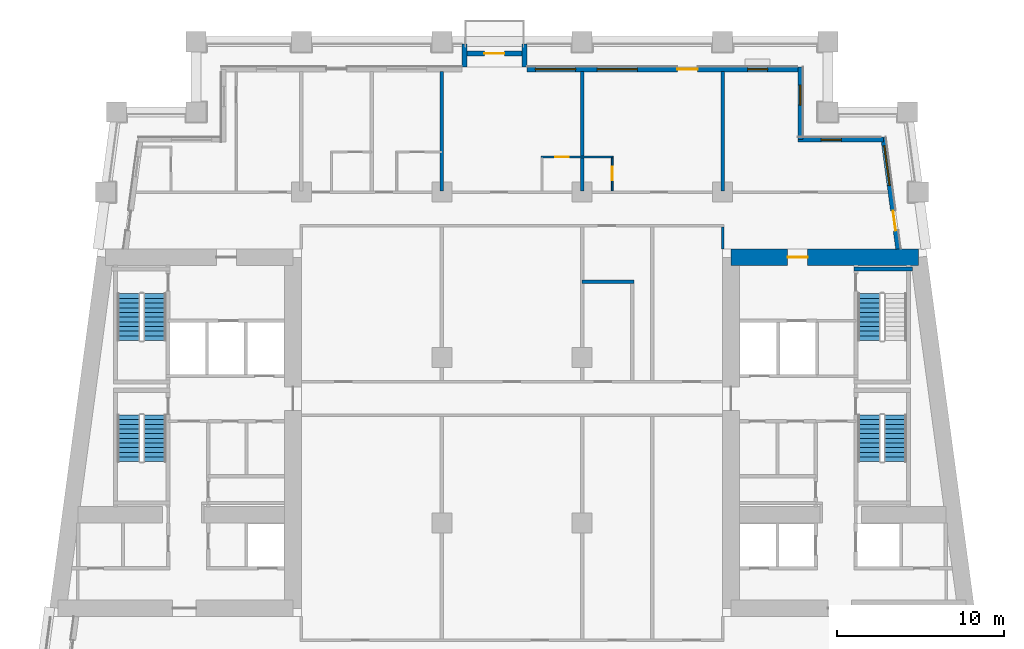
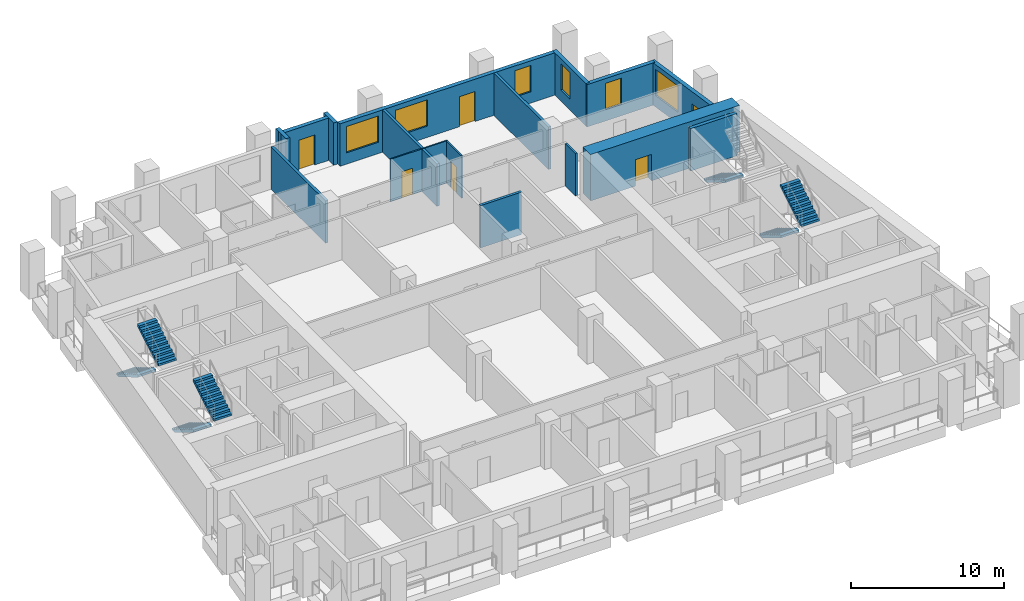
# One storey, part 7 of 13: 16 walls, 7 stair flights, 6 doors, 6 windows, 12 openings, 4 elements without a shape of their own.
"""IFC4 building model written with IfcOpenShell, lengths in metres."""

from ifc_helpers import new_model, si_unit, direction, frame, frame_2d, origin, place, context, subcontext, project, spatial, polyline, rectangle, outline, extrude, material, layer, layer_set, type_object, element, fill, aggregate, save


model = new_model("IFC4")

# Units and contexts
model_context = context("Model", 3, precision=1e-05, world=origin(), true_north=direction((0.0, 1.0)))
body_context = subcontext(model_context, "Body", "Model", "MODEL_VIEW")
ifc_project = project(units=[si_unit("LENGTHUNIT", "METRE"), si_unit("AREAUNIT", "SQUARE_METRE"), si_unit("VOLUMEUNIT", "CUBIC_METRE"), si_unit("PLANEANGLEUNIT", "RADIAN"), si_unit("MASSUNIT", "GRAM", prefix="KILO")], contexts=[model_context])

# Site, building, storey
site_placement = place(None, origin())
site = spatial("IfcSite", under=ifc_project, at=site_placement, CompositionType="ELEMENT")
building_placement = place(site_placement, origin())
building = spatial("IfcBuilding", under=site, at=building_placement, Name="Candeia Pilgrim Tower and Theatre", CompositionType="ELEMENT")
storey_placement = place(building_placement, frame((0.0, 0.0, 128.0)))
storey = spatial("IfcBuildingStorey", under=building, at=storey_placement, Name="L30", CompositionType="ELEMENT", Elevation=128.0)

# Wall, opening, door
ifc_material_1 = material(Name="Concrete C70/85", Category="concrete")
ifc_layer_1 = layer(ifc_material_1, 1.0)
ifc_layer_set_1 = layer_set([ifc_layer_1], Name="Core wall 1000 C70/85")
wall_type_1 = type_object("IfcWallType", Name="Core wall 1000 C70/85", PredefinedType="SHEAR", material=ifc_layer_set_1)
wall_1_placement = place(storey_placement, frame((126.5, 131.89990234375, 0.0), z_axis=(0.0, 0.0, 1.0), x_axis=(1.0, 0.0, 0.0)))
wall_1 = element("IfcWall", 1, at=wall_1_placement, inside=storey, type_object=wall_type_1, Name="Core wall E1", PredefinedType="SHEAR", context=body_context, shape_type="SweptSolid", body=[
    extrude(rectangle(XDim=11.23193359375, YDim=1.0, at=frame_2d((5.615966796875, 0.0))), origin(), (0.0, 0.0, 1.0), 3.699951171875),
])
opening_1_placement = place(wall_1_placement, frame((3.386474609375, 0.0, 0.0)))
opening_1 = element("IfcOpeningElement", 2, at=opening_1_placement, cuts=wall_1, Name="Opening L30-D060", PredefinedType="OPENING", context=body_context, shape_type="SweptSolid", body=[
    extrude(rectangle(XDim=1.199951171875, YDim=2.10009765625, at=frame_2d((0.60009765625, 1.050048828125))), frame((0.0, 0.510009765625, 0.0), z_axis=(0.0, -1.0, 0.0), x_axis=(1.0, 0.0, 0.0)), (0.0, 0.0, 1.0), 1.02001953125),
])
ifc_material_2 = material(Name="Steel fire door set", Category="steel")
door_type_1 = type_object("IfcDoorType", Name="D-1200-FD60", OperationType="NOTDEFINED", PredefinedType="DOOR", material=ifc_material_2)
door_1_placement = place(opening_1_placement, origin())
door_1 = element("IfcDoor", 3, at=door_1_placement, inside=storey, type_object=door_type_1, Name="Door L30-D060", OperationType="SINGLE_SWING_RIGHT", OverallHeight=2.10009765625, OverallWidth=1.199951171875, PredefinedType="DOOR", context=body_context, shape_type="SweptSolid", body=[
    extrude(rectangle(XDim=1.199951171875, YDim=2.10009765625, at=frame_2d((0.60009765625, 1.050048828125))), frame((0.0, 0.02490234375, 0.0), z_axis=(0.0, -1.0, 0.0), x_axis=(1.0, 0.0, 0.0)), (0.0, 0.0, 1.0), 0.050048828125),
])
fill(opening_1, door_1)

# Wall, openings, door, window
ifc_material_3 = material(Name="Ceramic block masonry", Category="masonry")
ifc_layer_2 = layer(ifc_material_3, 0.300048828125)
ifc_layer_set_2 = layer_set([ifc_layer_2], Name="EW1 glazing-line wall 300")
wall_type_2 = type_object("IfcWallType", Name="EW1 glazing-line wall 300", PredefinedType="SOLIDWALL", material=ifc_layer_set_2)
wall_2_placement = place(storey_placement, frame((136.50439453125, 132.39990234375, 0.0), z_axis=(0.0, 0.0, 1.0), x_axis=(-0.133399697462, 0.99106231929, 0.0)))
wall_2 = element("IfcWall", 4, at=wall_2_placement, inside=storey, type_object=wall_type_2, Name="External wall L30-3.1", PredefinedType="SOLIDWALL", context=body_context, shape_type="SweptSolid", body=[
    extrude(rectangle(XDim=6.740478515625, YDim=0.300048828125, at=frame_2d((3.3701171875, 0.0))), origin(), (0.0, 0.0, 1.0), 3.3798828125),
])
opening_2_placement = place(wall_2_placement, frame((1.115234375, 0.0, 0.0)))
opening_2 = element("IfcOpeningElement", 5, at=opening_2_placement, cuts=wall_2, Name="Opening L30-ED303", PredefinedType="OPENING", context=body_context, shape_type="SweptSolid", body=[
    extrude(rectangle(XDim=1.199951171875, YDim=2.39990234375, at=frame_2d((0.60009765625, 1.199951171875))), frame((0.0, 0.16015625, 0.0), z_axis=(0.0, -1.0, 0.0), x_axis=(1.0, 0.0, 0.0)), (0.0, 0.0, 1.0), 0.320068359375),
])
opening_3_placement = place(wall_2_placement, frame((3.83544921875, 0.0, 0.89990234375)))
opening_3 = element("IfcOpeningElement", 6, at=opening_3_placement, cuts=wall_2, Name="Opening W-A", PredefinedType="OPENING", context=body_context, shape_type="SweptSolid", body=[
    extrude(rectangle(XDim=2.39990234375, YDim=2.10009765625, at=frame_2d((1.199951171875, 1.050048828125))), frame((0.0, 0.16015625, 0.0), z_axis=(0.0, -1.0, 0.0), x_axis=(1.0, 0.0, 0.0)), (0.0, 0.0, 1.0), 0.320068359375),
])
ifc_material_4 = material(Name="Aluminium framed glazed door", Category="aluminium")
door_type_2 = type_object("IfcDoorType", Name="Loggia door 1200x2400", OperationType="DOUBLE_DOOR_SINGLE_SWING", PredefinedType="DOOR", material=ifc_material_4)
door_2_placement = place(opening_2_placement, origin())
door_2 = element("IfcDoor", 7, at=door_2_placement, inside=storey, type_object=door_type_2, Name="Loggia door L30-ED303", OperationType="DOUBLE_DOOR_SINGLE_SWING", OverallHeight=2.39990234375, OverallWidth=1.199951171875, PredefinedType="DOOR", context=body_context, shape_type="SweptSolid", body=[
    extrude(rectangle(XDim=1.199951171875, YDim=2.39990234375, at=frame_2d((0.60009765625, 1.199951171875))), frame((0.0, 0.02490234375, 0.0), z_axis=(0.0, -1.0, 0.0), x_axis=(1.0, 0.0, 0.0)), (0.0, 0.0, 1.0), 0.050048828125),
])
fill(opening_2, door_2)
ifc_material_5 = material(Name="Aluminium framed double glazing", Category="aluminium")
window_type_1 = type_object("IfcWindowType", Name="W-A window 2400x2100", PartitioningType="DOUBLE_PANEL_VERTICAL", PredefinedType="WINDOW", material=ifc_material_5)
window_1_placement = place(opening_3_placement, origin())
window_1 = element("IfcWindow", 8, at=window_1_placement, inside=storey, type_object=window_type_1, Name="Window W-A L30", OverallHeight=2.10009765625, OverallWidth=2.39990234375, PartitioningType="SINGLE_PANEL", PredefinedType="WINDOW", context=body_context, shape_type="SweptSolid", body=[
    extrude(rectangle(XDim=2.39990234375, YDim=2.10009765625, at=frame_2d((1.199951171875, 1.050048828125))), frame((0.0, 0.030029296875, 0.0), z_axis=(0.0, -1.0, 0.0), x_axis=(1.0, 0.0, 0.0)), (0.0, 0.0, 1.0), 0.06005859375),
])
fill(opening_3, window_1)

# Wall, opening, window
wall_3_placement = place(storey_placement, frame((135.62255859375, 138.949951171875, 0.0), z_axis=(0.0, 0.0, 1.0), x_axis=(-1.0, 0.0, 0.0)))
wall_3 = element("IfcWall", 9, at=wall_3_placement, inside=storey, type_object=wall_type_2, Name="External wall L30-4.0", PredefinedType="SOLIDWALL", context=body_context, shape_type="SweptSolid", body=[
    extrude(rectangle(XDim=5.12255859375, YDim=0.300048828125, at=frame_2d((2.561279296875, 0.0))), origin(), (0.0, 0.0, 1.0), 3.3798828125),
])
opening_4_placement = place(wall_3_placement, frame((2.522705078125, 0.0, 0.89990234375)))
opening_4 = element("IfcOpeningElement", 10, at=opening_4_placement, cuts=wall_3, Name="Opening W-B", PredefinedType="OPENING", context=body_context, shape_type="SweptSolid", body=[
    extrude(rectangle(XDim=1.199951171875, YDim=2.10009765625, at=frame_2d((0.60009765625, 1.050048828125))), frame((0.0, 0.16015625, 0.0), z_axis=(0.0, -1.0, 0.0), x_axis=(1.0, 0.0, 0.0)), (0.0, 0.0, 1.0), 0.320068359375),
])
window_type_2 = type_object("IfcWindowType", Name="W-B window 1200x2100", PartitioningType="SINGLE_PANEL", PredefinedType="WINDOW", material=ifc_material_5)
window_2_placement = place(opening_4_placement, origin())
window_2 = element("IfcWindow", 11, at=window_2_placement, inside=storey, type_object=window_type_2, Name="Window W-B L30", OverallHeight=2.10009765625, OverallWidth=1.199951171875, PartitioningType="SINGLE_PANEL", PredefinedType="WINDOW", context=body_context, shape_type="SweptSolid", body=[
    extrude(rectangle(XDim=1.199951171875, YDim=2.10009765625, at=frame_2d((0.60009765625, 1.050048828125))), frame((0.0, 0.030029296875, 0.0), z_axis=(0.0, -1.0, 0.0), x_axis=(1.0, 0.0, 0.0)), (0.0, 0.0, 1.0), 0.06005859375),
])
fill(opening_4, window_2)

wall_4_placement = place(storey_placement, frame((130.64990234375, 138.949951171875, 0.0), z_axis=(0.0, 0.0, 1.0), x_axis=(0.0, 1.0, 0.0)))
wall_4 = element("IfcWall", 12, at=wall_4_placement, inside=storey, type_object=wall_type_2, Name="External wall L30-5.0", PredefinedType="SOLIDWALL", context=body_context, shape_type="SweptSolid", body=[
    extrude(rectangle(XDim=4.35009765625, YDim=0.300048828125, at=frame_2d((2.175048828125, 0.0))), origin(), (0.0, 0.0, 1.0), 3.3798828125),
])
opening_5_placement = place(wall_4_placement, frame((2.050048828125, 0.0, 0.89990234375)))
opening_5 = element("IfcOpeningElement", 13, at=opening_5_placement, cuts=wall_4, Name="Opening W-B", PredefinedType="OPENING", context=body_context, shape_type="SweptSolid", body=[
    extrude(rectangle(XDim=1.199951171875, YDim=2.10009765625, at=frame_2d((0.60009765625, 1.050048828125))), frame((0.0, 0.16015625, 0.0), z_axis=(0.0, -1.0, 0.0), x_axis=(1.0, 0.0, 0.0)), (0.0, 0.0, 1.0), 0.320068359375),
])
window_3_placement = place(opening_5_placement, origin())
window_3 = element("IfcWindow", 14, at=window_3_placement, inside=storey, type_object=window_type_2, Name="Window W-B L30", OverallHeight=2.10009765625, OverallWidth=1.199951171875, PartitioningType="SINGLE_PANEL", PredefinedType="WINDOW", context=body_context, shape_type="SweptSolid", body=[
    extrude(rectangle(XDim=1.199951171875, YDim=2.10009765625, at=frame_2d((0.60009765625, 1.050048828125))), frame((0.0, 0.030029296875, 0.0), z_axis=(0.0, -1.0, 0.0), x_axis=(1.0, 0.0, 0.0)), (0.0, 0.0, 1.0), 0.06005859375),
])
fill(opening_5, window_3)

# Wall, openings, door, windows
wall_5_placement = place(storey_placement, frame((130.64990234375, 143.14990234375, 0.0), z_axis=(0.0, 0.0, 1.0), x_axis=(-1.0, 0.0, 0.0)))
wall_5 = element("IfcWall", 15, at=wall_5_placement, inside=storey, type_object=wall_type_2, Name="External wall L30-6.0", PredefinedType="SOLIDWALL", context=body_context, shape_type="SweptSolid", body=[
    extrude(rectangle(XDim=16.349853515625, YDim=0.300048828125, at=frame_2d((8.1748046875, 0.0))), origin(), (0.0, 0.0, 1.0), 3.3798828125),
])
opening_6_placement = place(wall_5_placement, frame((1.949951171875, 0.0, 0.89990234375)))
opening_6 = element("IfcOpeningElement", 16, at=opening_6_placement, cuts=wall_5, Name="Opening W-B", PredefinedType="OPENING", context=body_context, shape_type="SweptSolid", body=[
    extrude(rectangle(XDim=1.199951171875, YDim=2.10009765625, at=frame_2d((0.60009765625, 1.050048828125))), frame((0.0, 0.16015625, 0.0), z_axis=(0.0, -1.0, 0.0), x_axis=(1.0, 0.0, 0.0)), (0.0, 0.0, 1.0), 0.320068359375),
])
opening_7_placement = place(wall_5_placement, frame((6.14990234375, 0.0, 0.0)))
opening_7 = element("IfcOpeningElement", 17, at=opening_7_placement, cuts=wall_5, Name="Opening L30-ED304", PredefinedType="OPENING", context=body_context, shape_type="SweptSolid", body=[
    extrude(rectangle(XDim=1.199951171875, YDim=2.39990234375, at=frame_2d((0.60009765625, 1.199951171875))), frame((0.0, 0.16015625, 0.0), z_axis=(0.0, -1.0, 0.0), x_axis=(1.0, 0.0, 0.0)), (0.0, 0.0, 1.0), 0.320068359375),
])
opening_8_placement = place(wall_5_placement, frame((9.75, 0.0, 0.89990234375)))
opening_8 = element("IfcOpeningElement", 18, at=opening_8_placement, cuts=wall_5, Name="Opening W-A", PredefinedType="OPENING", context=body_context, shape_type="SweptSolid", body=[
    extrude(rectangle(XDim=2.39990234375, YDim=2.10009765625, at=frame_2d((1.199951171875, 1.050048828125))), frame((0.0, 0.16015625, 0.0), z_axis=(0.0, -1.0, 0.0), x_axis=(1.0, 0.0, 0.0)), (0.0, 0.0, 1.0), 0.320068359375),
])
opening_9_placement = place(wall_5_placement, frame((13.449951171875, 0.0, 0.89990234375)))
opening_9 = element("IfcOpeningElement", 19, at=opening_9_placement, cuts=wall_5, Name="Opening W-A", PredefinedType="OPENING", context=body_context, shape_type="SweptSolid", body=[
    extrude(rectangle(XDim=2.39990234375, YDim=2.10009765625, at=frame_2d((1.199951171875, 1.050048828125))), frame((0.0, 0.16015625, 0.0), z_axis=(0.0, -1.0, 0.0), x_axis=(1.0, 0.0, 0.0)), (0.0, 0.0, 1.0), 0.320068359375),
])
door_3_placement = place(opening_7_placement, origin())
door_3 = element("IfcDoor", 20, at=door_3_placement, inside=storey, type_object=door_type_2, Name="Loggia door L30-ED304", OperationType="DOUBLE_DOOR_SINGLE_SWING", OverallHeight=2.39990234375, OverallWidth=1.199951171875, PredefinedType="DOOR", context=body_context, shape_type="SweptSolid", body=[
    extrude(rectangle(XDim=1.199951171875, YDim=2.39990234375, at=frame_2d((0.60009765625, 1.199951171875))), frame((0.0, 0.02490234375, 0.0), z_axis=(0.0, -1.0, 0.0), x_axis=(1.0, 0.0, 0.0)), (0.0, 0.0, 1.0), 0.050048828125),
])
fill(opening_7, door_3)
window_4_placement = place(opening_8_placement, origin())
window_4 = element("IfcWindow", 21, at=window_4_placement, inside=storey, type_object=window_type_1, Name="Window W-A L30", OverallHeight=2.10009765625, OverallWidth=2.39990234375, PartitioningType="SINGLE_PANEL", PredefinedType="WINDOW", context=body_context, shape_type="SweptSolid", body=[
    extrude(rectangle(XDim=2.39990234375, YDim=2.10009765625, at=frame_2d((1.199951171875, 1.050048828125))), frame((0.0, 0.030029296875, 0.0), z_axis=(0.0, -1.0, 0.0), x_axis=(1.0, 0.0, 0.0)), (0.0, 0.0, 1.0), 0.06005859375),
])
fill(opening_8, window_4)
window_5_placement = place(opening_9_placement, origin())
window_5 = element("IfcWindow", 22, at=window_5_placement, inside=storey, type_object=window_type_1, Name="Window W-A L30", OverallHeight=2.10009765625, OverallWidth=2.39990234375, PartitioningType="SINGLE_PANEL", PredefinedType="WINDOW", context=body_context, shape_type="SweptSolid", body=[
    extrude(rectangle(XDim=2.39990234375, YDim=2.10009765625, at=frame_2d((1.199951171875, 1.050048828125))), frame((0.0, 0.030029296875, 0.0), z_axis=(0.0, -1.0, 0.0), x_axis=(1.0, 0.0, 0.0)), (0.0, 0.0, 1.0), 0.06005859375),
])
fill(opening_9, window_5)
window_6_placement = place(opening_6_placement, origin())
window_6 = element("IfcWindow", 23, at=window_6_placement, inside=storey, type_object=window_type_2, Name="Window W-B L30", OverallHeight=2.10009765625, OverallWidth=1.199951171875, PartitioningType="SINGLE_PANEL", PredefinedType="WINDOW", context=body_context, shape_type="SweptSolid", body=[
    extrude(rectangle(XDim=1.199951171875, YDim=2.10009765625, at=frame_2d((0.60009765625, 1.050048828125))), frame((0.0, 0.030029296875, 0.0), z_axis=(0.0, -1.0, 0.0), x_axis=(1.0, 0.0, 0.0)), (0.0, 0.0, 1.0), 0.06005859375),
])
fill(opening_6, window_6)

# Walls
ifc_layer_3 = layer(ifc_material_3, 0.300048828125)
ifc_layer_set_3 = layer_set([ifc_layer_3], Name="EW2 entrance infill wall 300")
wall_type_3 = type_object("IfcWallType", Name="EW2 entrance infill wall 300", PredefinedType="SOLIDWALL", material=ifc_layer_set_3)
for number, where, z_axis, x_axis, name in (
    (24, (114.14990234375, 143.300048828125, 0.0), (0.0, 0.0, 1.0), (0.0, 1.0, 0.0), "Alcove wall L30"),
    (25, (110.550048828125, 143.300048828125, 0.0), (0.0, 0.0, 1.0), (0.0, 1.0, 0.0), "Alcove wall L30"),
):
    element("IfcWall", number, at=place(storey_placement, frame(where, z_axis=z_axis, x_axis=x_axis)), inside=storey, type_object=wall_type_3, Name=name, PredefinedType="SOLIDWALL", context=body_context, shape_type="SweptSolid", body=[
        extrude(rectangle(XDim=1.349853515625, YDim=0.300048828125, at=frame_2d((0.6748046875, 0.0))), origin(), (0.0, 0.0, 1.0), 3.3798828125),
    ])

# Wall, opening, door
wall_6_placement = place(storey_placement, frame((114.300048828125, 144.10009765625, 0.0), z_axis=(0.0, 0.0, 1.0), x_axis=(-1.0, 0.0, 0.0)))
wall_6 = element("IfcWall", 26, at=wall_6_placement, inside=storey, type_object=wall_type_3, Name="Alcove wall L30", PredefinedType="SOLIDWALL", context=body_context, shape_type="SweptSolid", body=[
    extrude(rectangle(XDim=3.900146484375, YDim=0.300048828125, at=frame_2d((1.9501953125, 0.0))), origin(), (0.0, 0.0, 1.0), 3.3798828125),
])
opening_10_placement = place(wall_6_placement, frame((1.35009765625, 0.0, 0.0)))
opening_10 = element("IfcOpeningElement", 27, at=opening_10_placement, cuts=wall_6, Name="Opening L30-ED306", PredefinedType="OPENING", context=body_context, shape_type="SweptSolid", body=[
    extrude(rectangle(XDim=1.199951171875, YDim=2.39990234375, at=frame_2d((0.60009765625, 1.199951171875))), frame((0.0, 0.16015625, 0.0), z_axis=(0.0, -1.0, 0.0), x_axis=(1.0, 0.0, 0.0)), (0.0, 0.0, 1.0), 0.320068359375),
])
door_4_placement = place(opening_10_placement, origin())
door_4 = element("IfcDoor", 28, at=door_4_placement, inside=storey, type_object=door_type_2, Name="Balcony door L30-ED306", OperationType="DOUBLE_DOOR_SINGLE_SWING", OverallHeight=2.39990234375, OverallWidth=1.199951171875, PredefinedType="DOOR", context=body_context, shape_type="SweptSolid", body=[
    extrude(rectangle(XDim=1.199951171875, YDim=2.39990234375, at=frame_2d((0.60009765625, 1.199951171875))), frame((0.0, 0.02490234375, 0.0), z_axis=(0.0, -1.0, 0.0), x_axis=(1.0, 0.0, 0.0)), (0.0, 0.0, 1.0), 0.050048828125),
])
fill(opening_10, door_4)

ifc_material_6 = material(Name="Gypsum board partition on steel studs", Category="steel")
ifc_layer_4 = layer(ifc_material_6, 0.10009765625)
ifc_layer_set_4 = layer_set([ifc_layer_4], Name="PW-100 room partition")
wall_type_4 = type_object("IfcWallType", Name="PW-100 room partition", PredefinedType="PARTITIONING", material=ifc_layer_set_4)
wall_7_placement = place(storey_placement, frame((115.14990234375, 137.89990234375, 0.0), z_axis=(0.0, 0.0, 1.0), x_axis=(1.0, 0.0, 0.0)))
wall_7 = element("IfcWall", 29, at=wall_7_placement, inside=storey, type_object=wall_type_4, Name="Room partition L30-044", PredefinedType="PARTITIONING", context=body_context, shape_type="SweptSolid", body=[
    extrude(rectangle(XDim=4.300048828125, YDim=0.10009765625, at=frame_2d((2.14990234375, 0.0))), origin(), (0.0, 0.0, 1.0), 3.3798828125),
])
opening_11_placement = place(wall_7_placement, frame((0.85009765625, 0.0, 0.0)))
opening_11 = element("IfcOpeningElement", 30, at=opening_11_placement, cuts=wall_7, Name="Opening L30-D043", PredefinedType="OPENING", context=body_context, shape_type="SweptSolid", body=[
    extrude(rectangle(XDim=0.800048828125, YDim=2.10009765625, at=frame_2d((0.39990234375, 1.050048828125))), frame((0.0, 0.06005859375, 0.0), z_axis=(0.0, -1.0, 0.0), x_axis=(1.0, 0.0, 0.0)), (0.0, 0.0, 1.0), 0.1201171875),
])
ifc_material_7 = material(Name="Timber door leaf", Category="wood")
door_type_3 = type_object("IfcDoorType", Name="D-800", OperationType="NOTDEFINED", PredefinedType="DOOR", material=ifc_material_7)
door_5_placement = place(opening_11_placement, origin())
door_5 = element("IfcDoor", 31, at=door_5_placement, inside=storey, type_object=door_type_3, Name="Door L30-D043", OperationType="SINGLE_SWING_LEFT", OverallHeight=2.10009765625, OverallWidth=0.800048828125, PredefinedType="DOOR", context=body_context, shape_type="SweptSolid", body=[
    extrude(rectangle(XDim=0.800048828125, YDim=2.10009765625, at=frame_2d((0.39990234375, 1.050048828125))), frame((0.0, 0.02490234375, 0.0), z_axis=(0.0, -1.0, 0.0), x_axis=(1.0, 0.0, 0.0)), (0.0, 0.0, 1.0), 0.050048828125),
])
fill(opening_11, door_5)

wall_8_placement = place(storey_placement, frame((119.39990234375, 135.875, 0.0), z_axis=(0.0, 0.0, 1.0), x_axis=(0.0, 1.0, 0.0)))
wall_8 = element("IfcWall", 32, at=wall_8_placement, inside=storey, type_object=wall_type_4, Name="Room partition L30-089", PredefinedType="PARTITIONING", context=body_context, shape_type="SweptSolid", body=[
    extrude(rectangle(XDim=1.97509765625, YDim=0.10009765625, at=frame_2d((0.987548828125, 0.0))), origin(), (0.0, 0.0, 1.0), 3.3798828125),
])
opening_12_placement = place(wall_8_placement, frame((0.635009765625, 0.0, 0.0)))
opening_12 = element("IfcOpeningElement", 33, at=opening_12_placement, cuts=wall_8, Name="Opening L30-D045", PredefinedType="OPENING", context=body_context, shape_type="SweptSolid", body=[
    extrude(rectangle(XDim=0.800048828125, YDim=2.10009765625, at=frame_2d((0.39990234375, 1.050048828125))), frame((0.0, 0.06005859375, 0.0), z_axis=(0.0, -1.0, 0.0), x_axis=(1.0, 0.0, 0.0)), (0.0, 0.0, 1.0), 0.1201171875),
])
door_6_placement = place(opening_12_placement, origin())
door_6 = element("IfcDoor", 34, at=door_6_placement, inside=storey, type_object=door_type_3, Name="Door L30-D045", OperationType="SINGLE_SWING_LEFT", OverallHeight=2.10009765625, OverallWidth=0.800048828125, PredefinedType="DOOR", context=body_context, shape_type="SweptSolid", body=[
    extrude(rectangle(XDim=0.800048828125, YDim=2.10009765625, at=frame_2d((0.39990234375, 1.050048828125))), frame((0.0, 0.02490234375, 0.0), z_axis=(0.0, -1.0, 0.0), x_axis=(1.0, 0.0, 0.0)), (0.0, 0.0, 1.0), 0.050048828125),
])
fill(opening_12, door_6)

# Walls
ifc_layer_5 = layer(ifc_material_6, 0.14990234375)
ifc_layer_set_5 = layer_set([ifc_layer_5], Name="PW-150 unit wall")
wall_type_5 = type_object("IfcWallType", Name="PW-150 unit wall", PredefinedType="PARTITIONING", material=ifc_layer_set_5)
wall_9_placement = place(storey_placement, frame((126.0, 132.39990234375, 0.0), z_axis=(0.0, 0.0, 1.0), x_axis=(0.0, 1.0, 0.0)))
element("IfcWall", 35, at=wall_9_placement, inside=storey, type_object=wall_type_5, Name="Unit wall L30-098", PredefinedType="PARTITIONING", context=body_context, shape_type="SweptSolid", body=[
    extrude(rectangle(XDim=1.3251953125, YDim=0.14990234375, at=frame_2d((0.66259765625, 0.0))), origin(), (0.0, 0.0, 1.0), 3.3798828125),
])
ifc_layer_6 = layer(ifc_material_6, 0.199951171875)
ifc_layer_set_6 = layer_set([ifc_layer_6], Name="PW-200 party wall")
wall_type_6 = type_object("IfcWallType", Name="PW-200 party wall", PredefinedType="PARTITIONING", material=ifc_layer_set_6)
wall_10_placement = place(storey_placement, frame((117.60009765625, 130.449951171875, 0.0), z_axis=(0.0, 0.0, 1.0), x_axis=(1.0, 0.0, 0.0)))
element("IfcWall", 36, at=wall_10_placement, inside=storey, type_object=wall_type_6, Name="Party wall L30-039", PredefinedType="PARTITIONING", context=body_context, shape_type="SweptSolid", body=[
    extrude(rectangle(XDim=3.099853515625, YDim=0.199951171875, at=frame_2d((1.5498046875, 0.0))), origin(), (0.0, 0.0, 1.0), 3.3798828125),
])
for number, where, z_axis, x_axis, name in (
    (37, (109.199951171875, 135.875, 0.0), (0.0, 0.0, 1.0), (0.0, 1.0, 0.0), "Party wall L30-081"),
    (38, (117.60009765625, 135.875, 0.0), (0.0, 0.0, 1.0), (0.0, 1.0, 0.0), "Party wall L30-088"),
    (39, (126.0, 135.875, 0.0), (0.0, 0.0, 1.0), (0.0, 1.0, 0.0), "Party wall L30-096"),
):
    element("IfcWall", number, at=place(storey_placement, frame(where, z_axis=z_axis, x_axis=x_axis)), inside=storey, type_object=wall_type_6, Name=name, PredefinedType="PARTITIONING", context=body_context, shape_type="SweptSolid", body=[
        extrude(rectangle(XDim=7.135009765625, YDim=0.199951171875, at=frame_2d((3.5673828125, 0.0))), origin(), (0.0, 0.0, 1.0), 3.3798828125),
    ])
ifc_material_8 = material(Name="Concrete C40/50", Category="concrete")
ifc_layer_7 = layer(ifc_material_8, 0.25)
ifc_layer_set_7 = layer_set([ifc_layer_7], Name="SW-250 stair wall")
wall_type_7 = type_object("IfcWallType", Name="SW-250 stair wall", PredefinedType="PARTITIONING", material=ifc_layer_set_7)
wall_11_placement = place(storey_placement, frame((133.847900390625, 131.199951171875, 0.0), z_axis=(0.0, 0.0, 1.0), x_axis=(1.0, 0.0, 0.0)))
element("IfcWall", 40, at=wall_11_placement, inside=storey, type_object=wall_type_7, Name="Stair wall L30-041", PredefinedType="PARTITIONING", context=body_context, shape_type="SweptSolid", body=[
    extrude(rectangle(XDim=3.50390625, YDim=0.25, at=frame_2d((1.751953125, 0.0))), origin(), (0.0, 0.0, 1.0), 3.3798828125),
])

# Stair, stair flights
stair_type = type_object("IfcStairType", Name="ST-TWR dog-leg escape stair", PredefinedType="HALF_TURN_STAIR", material=ifc_material_8)
stair_1_placement = place(storey_placement, origin())
stair_1 = element("IfcStair", 41, at=stair_1_placement, inside=storey, type_object=stair_type, Name="L30 Escape stair ST1", PredefinedType="HALF_TURN_STAIR")
stair_flight_type = type_object("IfcStairFlightType", Name="SFL-RC stair flight", PredefinedType="STRAIGHT", material=ifc_material_8)
stair_flight_1_placement = place(storey_placement, frame((90.47705078125, 122.47509765625, 0.0), z_axis=(0.0, 0.0, 1.0), x_axis=(0.0, -1.0, 0.0)))
stair_flight_1 = element("IfcStairFlight", 42, at=stair_flight_1_placement, type_object=stair_flight_type, Name="ST1 flight 1", NumberOfRisers=11, NumberOfTreads=10, PredefinedType="STRAIGHT", RiserHeight=0.168181818, TreadLength=0.28, context=body_context, shape_type="SweptSolid", body=[
    extrude(outline(polyline([(0.0, 0.0), (0.0, 0.168212890625), (0.280029296875, 0.168212890625), (0.280029296875, 0.33642578125), (0.56005859375, 0.33642578125), (0.56005859375, 0.504638671875), (0.840087890625, 0.504638671875), (0.840087890625, 0.672607421875), (1.1201171875, 0.672607421875), (1.1201171875, 0.8408203125), (1.39990234375, 0.8408203125), (1.39990234375, 1.009033203125), (1.679931640625, 1.009033203125), (1.679931640625, 1.17724609375), (1.9599609375, 1.17724609375), (1.9599609375, 1.345458984375), (2.239990234375, 1.345458984375), (2.239990234375, 1.513671875), (2.52001953125, 1.513671875), (2.52001953125, 1.681884765625), (2.800048828125, 1.681884765625), (2.800048828125, 1.85009765625), (2.800048828125, 1.5068359375), (0.291015625, 0.0), (0.0, 0.0)])), frame((0.0, 0.675048828125, 0.0), z_axis=(0.0, -1.0, 0.0), x_axis=(1.0, 0.0, 0.0)), (0.0, 0.0, 1.0), 1.35009765625),
])
stair_flight_2_placement = place(storey_placement, frame((92.027099609375, 119.675048828125, 1.85009765625), z_axis=(0.0, 0.0, 1.0), x_axis=(0.0, 1.0, 0.0)))
stair_flight_2 = element("IfcStairFlight", 43, at=stair_flight_2_placement, type_object=stair_flight_type, Name="ST1 flight 2", NumberOfRisers=11, NumberOfTreads=10, PredefinedType="STRAIGHT", RiserHeight=0.168181818, TreadLength=0.28, context=body_context, shape_type="SweptSolid", body=[
    extrude(outline(polyline([(0.0, 0.0), (0.0, 0.168212890625), (0.280029296875, 0.168212890625), (0.280029296875, 0.33642578125), (0.56005859375, 0.33642578125), (0.56005859375, 0.504638671875), (0.840087890625, 0.504638671875), (0.840087890625, 0.672607421875), (1.1201171875, 0.672607421875), (1.1201171875, 0.8408203125), (1.39990234375, 0.8408203125), (1.39990234375, 1.009033203125), (1.679931640625, 1.009033203125), (1.679931640625, 1.17724609375), (1.9599609375, 1.17724609375), (1.9599609375, 1.345458984375), (2.239990234375, 1.345458984375), (2.239990234375, 1.513671875), (2.52001953125, 1.513671875), (2.52001953125, 1.681884765625), (2.800048828125, 1.681884765625), (2.800048828125, 1.85009765625), (2.800048828125, 1.5068359375), (0.291015625, 0.0), (0.0, 0.0)])), frame((0.0, 0.675048828125, 0.0), z_axis=(0.0, -1.0, 0.0), x_axis=(1.0, 0.0, 0.0)), (0.0, 0.0, 1.0), 1.35009765625),
])
aggregate(stair_1, [stair_flight_1, stair_flight_2])

stair_2_placement = place(storey_placement, origin())
stair_2 = element("IfcStair", 44, at=stair_2_placement, inside=storey, type_object=stair_type, Name="L30 Escape stair ST2", PredefinedType="HALF_TURN_STAIR")
stair_flight_3_placement = place(storey_placement, frame((90.47705078125, 129.72509765625, 0.0), z_axis=(0.0, 0.0, 1.0), x_axis=(0.0, -1.0, 0.0)))
stair_flight_3 = element("IfcStairFlight", 45, at=stair_flight_3_placement, type_object=stair_flight_type, Name="ST2 flight 1", NumberOfRisers=11, NumberOfTreads=10, PredefinedType="STRAIGHT", RiserHeight=0.168181818, TreadLength=0.28, context=body_context, shape_type="SweptSolid", body=[
    extrude(outline(polyline([(0.0, 0.0), (0.0, 0.168212890625), (0.280029296875, 0.168212890625), (0.280029296875, 0.33642578125), (0.56005859375, 0.33642578125), (0.56005859375, 0.504638671875), (0.840087890625, 0.504638671875), (0.840087890625, 0.672607421875), (1.1201171875, 0.672607421875), (1.1201171875, 0.8408203125), (1.39990234375, 0.8408203125), (1.39990234375, 1.009033203125), (1.679931640625, 1.009033203125), (1.679931640625, 1.17724609375), (1.9599609375, 1.17724609375), (1.9599609375, 1.345458984375), (2.239990234375, 1.345458984375), (2.239990234375, 1.513671875), (2.52001953125, 1.513671875), (2.52001953125, 1.681884765625), (2.800048828125, 1.681884765625), (2.800048828125, 1.85009765625), (2.800048828125, 1.5068359375), (0.291015625, 0.0), (0.0, 0.0)])), frame((0.0, 0.675048828125, 0.0), z_axis=(0.0, -1.0, 0.0), x_axis=(1.0, 0.0, 0.0)), (0.0, 0.0, 1.0), 1.35009765625),
])
stair_flight_4_placement = place(storey_placement, frame((92.027099609375, 126.925048828125, 1.85009765625), z_axis=(0.0, 0.0, 1.0), x_axis=(0.0, 1.0, 0.0)))
stair_flight_4 = element("IfcStairFlight", 46, at=stair_flight_4_placement, type_object=stair_flight_type, Name="ST2 flight 2", NumberOfRisers=11, NumberOfTreads=10, PredefinedType="STRAIGHT", RiserHeight=0.168181818, TreadLength=0.28, context=body_context, shape_type="SweptSolid", body=[
    extrude(outline(polyline([(0.0, 0.0), (0.0, 0.168212890625), (0.280029296875, 0.168212890625), (0.280029296875, 0.33642578125), (0.56005859375, 0.33642578125), (0.56005859375, 0.504638671875), (0.840087890625, 0.504638671875), (0.840087890625, 0.672607421875), (1.1201171875, 0.672607421875), (1.1201171875, 0.8408203125), (1.39990234375, 0.8408203125), (1.39990234375, 1.009033203125), (1.679931640625, 1.009033203125), (1.679931640625, 1.17724609375), (1.9599609375, 1.17724609375), (1.9599609375, 1.345458984375), (2.239990234375, 1.345458984375), (2.239990234375, 1.513671875), (2.52001953125, 1.513671875), (2.52001953125, 1.681884765625), (2.800048828125, 1.681884765625), (2.800048828125, 1.85009765625), (2.800048828125, 1.5068359375), (0.291015625, 0.0), (0.0, 0.0)])), frame((0.0, 0.675048828125, 0.0), z_axis=(0.0, -1.0, 0.0), x_axis=(1.0, 0.0, 0.0)), (0.0, 0.0, 1.0), 1.35009765625),
])
aggregate(stair_2, [stair_flight_3, stair_flight_4])

stair_3_placement = place(storey_placement, origin())
stair_3 = element("IfcStair", 47, at=stair_3_placement, inside=storey, type_object=stair_type, Name="L30 Escape stair ST3", PredefinedType="HALF_TURN_STAIR")
stair_flight_5_placement = place(storey_placement, frame((134.77294921875, 122.47509765625, 0.0), z_axis=(0.0, 0.0, 1.0), x_axis=(0.0, -1.0, 0.0)))
stair_flight_5 = element("IfcStairFlight", 48, at=stair_flight_5_placement, type_object=stair_flight_type, Name="ST3 flight 1", NumberOfRisers=11, NumberOfTreads=10, PredefinedType="STRAIGHT", RiserHeight=0.168181818, TreadLength=0.28, context=body_context, shape_type="SweptSolid", body=[
    extrude(outline(polyline([(0.0, 0.0), (0.0, 0.168212890625), (0.280029296875, 0.168212890625), (0.280029296875, 0.33642578125), (0.56005859375, 0.33642578125), (0.56005859375, 0.504638671875), (0.840087890625, 0.504638671875), (0.840087890625, 0.672607421875), (1.1201171875, 0.672607421875), (1.1201171875, 0.8408203125), (1.39990234375, 0.8408203125), (1.39990234375, 1.009033203125), (1.679931640625, 1.009033203125), (1.679931640625, 1.17724609375), (1.9599609375, 1.17724609375), (1.9599609375, 1.345458984375), (2.239990234375, 1.345458984375), (2.239990234375, 1.513671875), (2.52001953125, 1.513671875), (2.52001953125, 1.681884765625), (2.800048828125, 1.681884765625), (2.800048828125, 1.85009765625), (2.800048828125, 1.5068359375), (0.291015625, 0.0), (0.0, 0.0)])), frame((0.0, 0.675048828125, 0.0), z_axis=(0.0, -1.0, 0.0), x_axis=(1.0, 0.0, 0.0)), (0.0, 0.0, 1.0), 1.35009765625),
])
stair_flight_6_placement = place(storey_placement, frame((136.322998046875, 119.675048828125, 1.85009765625), z_axis=(0.0, 0.0, 1.0), x_axis=(0.0, 1.0, 0.0)))
stair_flight_6 = element("IfcStairFlight", 49, at=stair_flight_6_placement, type_object=stair_flight_type, Name="ST3 flight 2", NumberOfRisers=11, NumberOfTreads=10, PredefinedType="STRAIGHT", RiserHeight=0.168181818, TreadLength=0.28, context=body_context, shape_type="SweptSolid", body=[
    extrude(outline(polyline([(0.0, 0.0), (0.0, 0.168212890625), (0.280029296875, 0.168212890625), (0.280029296875, 0.33642578125), (0.56005859375, 0.33642578125), (0.56005859375, 0.504638671875), (0.840087890625, 0.504638671875), (0.840087890625, 0.672607421875), (1.1201171875, 0.672607421875), (1.1201171875, 0.8408203125), (1.39990234375, 0.8408203125), (1.39990234375, 1.009033203125), (1.679931640625, 1.009033203125), (1.679931640625, 1.17724609375), (1.9599609375, 1.17724609375), (1.9599609375, 1.345458984375), (2.239990234375, 1.345458984375), (2.239990234375, 1.513671875), (2.52001953125, 1.513671875), (2.52001953125, 1.681884765625), (2.800048828125, 1.681884765625), (2.800048828125, 1.85009765625), (2.800048828125, 1.5068359375), (0.291015625, 0.0), (0.0, 0.0)])), frame((0.0, 0.675048828125, 0.0), z_axis=(0.0, -1.0, 0.0), x_axis=(1.0, 0.0, 0.0)), (0.0, 0.0, 1.0), 1.35009765625),
])
aggregate(stair_3, [stair_flight_5, stair_flight_6])

# Stair, stair flight
stair_4_placement = place(storey_placement, origin())
stair_4 = element("IfcStair", 50, at=stair_4_placement, inside=storey, type_object=stair_type, Name="L30 Escape stair ST4", PredefinedType="HALF_TURN_STAIR")
stair_flight_7_placement = place(storey_placement, frame((134.77294921875, 129.72509765625, 0.0), z_axis=(0.0, 0.0, 1.0), x_axis=(0.0, -1.0, 0.0)))
stair_flight_7 = element("IfcStairFlight", 51, at=stair_flight_7_placement, type_object=stair_flight_type, Name="ST4 flight 1", NumberOfRisers=11, NumberOfTreads=10, PredefinedType="STRAIGHT", RiserHeight=0.168181818, TreadLength=0.28, context=body_context, shape_type="SweptSolid", body=[
    extrude(outline(polyline([(0.0, 0.0), (0.0, 0.168212890625), (0.280029296875, 0.168212890625), (0.280029296875, 0.33642578125), (0.56005859375, 0.33642578125), (0.56005859375, 0.504638671875), (0.840087890625, 0.504638671875), (0.840087890625, 0.672607421875), (1.1201171875, 0.672607421875), (1.1201171875, 0.8408203125), (1.39990234375, 0.8408203125), (1.39990234375, 1.009033203125), (1.679931640625, 1.009033203125), (1.679931640625, 1.17724609375), (1.9599609375, 1.17724609375), (1.9599609375, 1.345458984375), (2.239990234375, 1.345458984375), (2.239990234375, 1.513671875), (2.52001953125, 1.513671875), (2.52001953125, 1.681884765625), (2.800048828125, 1.681884765625), (2.800048828125, 1.85009765625), (2.800048828125, 1.5068359375), (0.291015625, 0.0), (0.0, 0.0)])), frame((0.0, 0.675048828125, 0.0), z_axis=(0.0, -1.0, 0.0), x_axis=(1.0, 0.0, 0.0)), (0.0, 0.0, 1.0), 1.35009765625),
])
aggregate(stair_4, [stair_flight_7])

save(model, "model.ifc")
